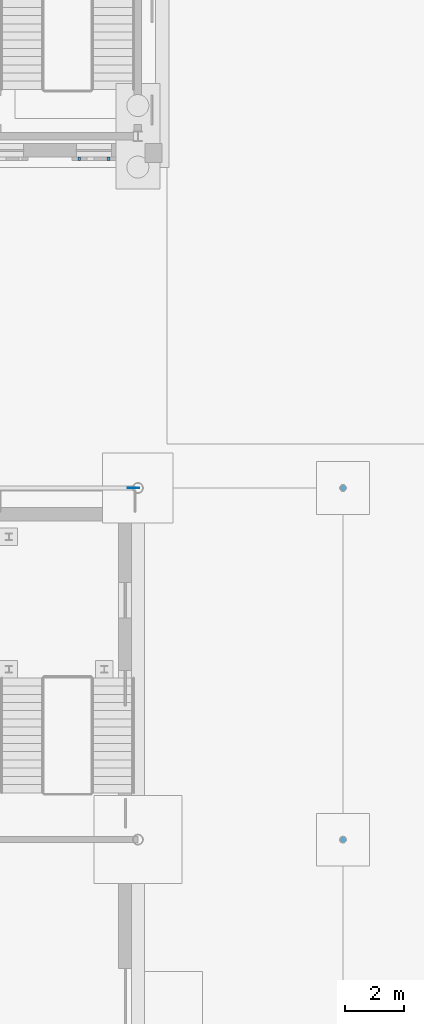
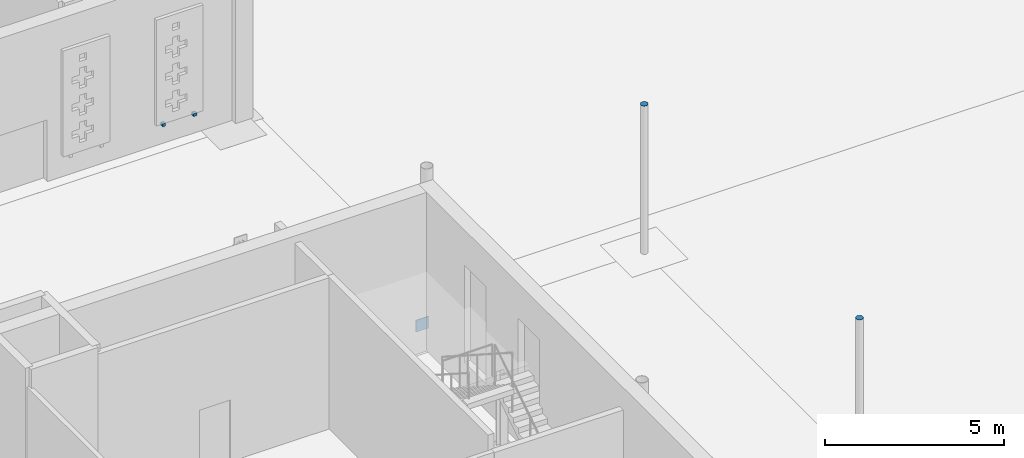
# One storey, part 115 of 132: 5 discrete accessories.
"""IFC4 building model written with IfcOpenShell, lengths in metres."""

from ifc_helpers import new_model, si_unit, direction, frame, origin, origin_2d, place, context, subcontext, project, spatial, rectangle, circle, extrude, material, material_profile, profile_set, type_object, element, save


model = new_model("IFC4")

# Units and contexts
model_context = context("Model", 3, precision=1e-05, world=origin(), true_north=direction((0.0, 1.0)))
body_context = subcontext(model_context, "Body", "Model", "MODEL_VIEW")
ifc_project = project(units=[si_unit("LENGTHUNIT", "METRE"), si_unit("AREAUNIT", "SQUARE_METRE"), si_unit("VOLUMEUNIT", "CUBIC_METRE"), si_unit("PLANEANGLEUNIT", "RADIAN"), si_unit("MASSUNIT", "GRAM", prefix="KILO")], contexts=[model_context])

# Site, building, storey
site_placement = place(None, origin())
site = spatial("IfcSite", under=ifc_project, at=site_placement, CompositionType="ELEMENT")
building_placement = place(site_placement, origin())
building = spatial("IfcBuilding", under=site, at=building_placement, Name="Ravi Spectrum Wholesale Market", CompositionType="ELEMENT")
storey_placement = place(building_placement, origin())
storey = spatial("IfcBuildingStorey", under=building, at=storey_placement, Name="L00", CompositionType="ELEMENT", Elevation=0.0)

# Discrete accessories
ifc_material_1 = material(Name="Steel S355", Category="steel")
ifc_material_profile_1 = material_profile(ifc_material_1, circle(Radius=0.109619140625, at=origin_2d()))
ifc_profile_set_1 = profile_set([ifc_material_profile_1], Name="Steel S355")
discrete_accessory_type_1 = type_object("IfcDiscreteAccessoryType", Name="End plate CHS 219.1x8", PredefinedType="BRACKET", material=ifc_profile_set_1)
for number, where, z_axis, x_axis, name in (
    (1, (205.0, 174.0, 5.0400390625), (0.0, 0.0, 1.0), (1.0, 0.0, 0.0), "End plate"),
    (2, (205.0, 186.0, 5.0400390625), (0.0, 0.0, 1.0), (1.0, 0.0, 0.0), "End plate"),
):
    element("IfcDiscreteAccessory", number, at=place(storey_placement, frame(where, z_axis=z_axis, x_axis=x_axis)), inside=storey, type_object=discrete_accessory_type_1, Name=name, PredefinedType="BRACKET", context=body_context, shape_type="SweptSolid", body=[
        extrude(circle(Radius=0.109619140625, at=origin_2d()), origin(), (0.0, 0.0, 1.0), 0.011962890625),
    ])
ifc_material_2 = material(Name="Steel S355", Category="steel")
ifc_material_profile_2 = material_profile(ifc_material_2, rectangle(XDim=0.39990234375, YDim=0.02001953125, at=origin_2d()))
ifc_profile_set_2 = profile_set([ifc_material_profile_2], Name="Steel S355")
discrete_accessory_type_2 = type_object("IfcDiscreteAccessoryType", Name="Gusset plate 400x400x20", PredefinedType="BRACKET", material=ifc_profile_set_2)
discrete_accessory_placement = place(storey_placement, frame((197.85009765625, 186.0, -0.14208984375), z_axis=(0.0, 0.0, 1.0), x_axis=(-1.0, 0.0, 0.0)))
element("IfcDiscreteAccessory", 3, at=discrete_accessory_placement, inside=storey, type_object=discrete_accessory_type_2, Name="Gusset plate", PredefinedType="BRACKET", context=body_context, shape_type="SweptSolid", body=[
    extrude(rectangle(XDim=0.39990234375, YDim=0.02001953125, at=origin_2d()), origin(), (0.0, 0.0, 1.0), 0.400146484375),
])
ifc_material_3 = material(Name="Steel S355", Category="steel")
discrete_accessory_type_3 = type_object("IfcDiscreteAccessoryType", Name="Steel angle bracket 100 x 115", PredefinedType="BRACKET", material=ifc_material_3)
for number, where, z_axis, x_axis, name in (
    (4, (196.0, 197.232421875, 0.64990234375), (0.0, 0.0, 1.0), (1.0, 0.0, 0.0), "Screen bracket"),
    (5, (197.0, 197.232421875, 0.64990234375), (0.0, 0.0, 1.0), (1.0, 0.0, 0.0), "Screen bracket"),
):
    element("IfcDiscreteAccessory", number, at=place(storey_placement, frame(where, z_axis=z_axis, x_axis=x_axis)), inside=storey, type_object=discrete_accessory_type_3, Name=name, PredefinedType="BRACKET", context=body_context, shape_type="SweptSolid", body=[
        extrude(rectangle(XDim=0.10009765625, YDim=0.114990234375, at=origin_2d()), origin(), (0.0, 0.0, 1.0), 0.10009765625),
    ])

save(model, "model.ifc")
